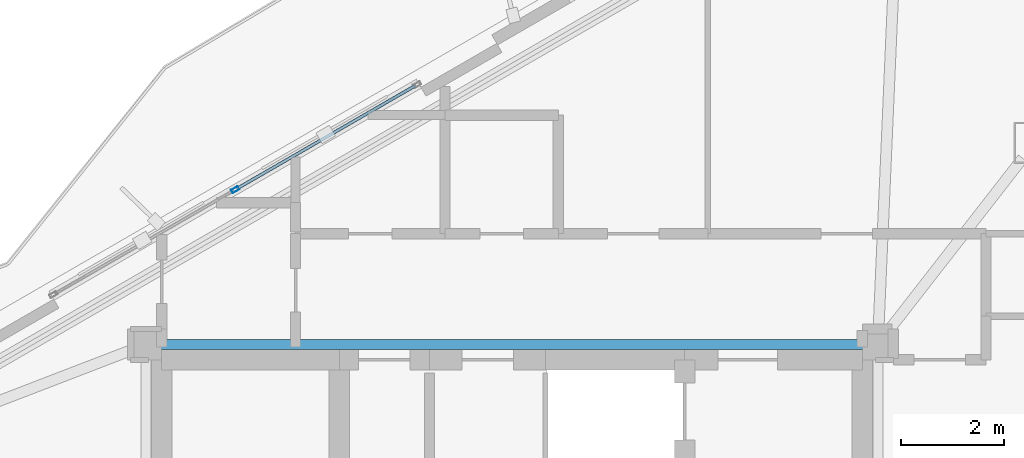
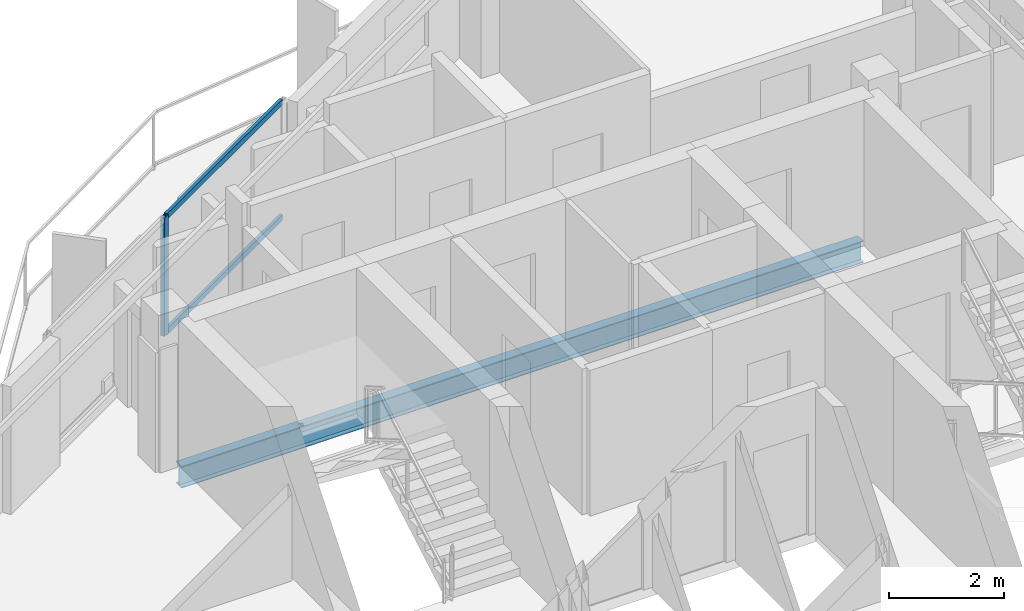
# One storey, part 10 of 18: 3 members, 1 beam, 1 element without a shape of its own.
"""IFC4 building model written with IfcOpenShell, lengths in metres."""

from ifc_helpers import new_model, si_unit, direction, frame, origin, origin_2d, place, context, subcontext, project, spatial, hollow_rectangle, i_section, extrude, material, layer, layer_set, material_profile, profile_set, type_object, element, aggregate, save


model = new_model("IFC4")

# Units and contexts
model_context = context("Model", 3, precision=1e-05, world=origin(), true_north=direction((0.0, 1.0)))
body_context = subcontext(model_context, "Body", "Model", "MODEL_VIEW")
ifc_project = project(units=[si_unit("LENGTHUNIT", "METRE"), si_unit("AREAUNIT", "SQUARE_METRE"), si_unit("VOLUMEUNIT", "CUBIC_METRE"), si_unit("PLANEANGLEUNIT", "RADIAN"), si_unit("MASSUNIT", "GRAM", prefix="KILO")], contexts=[model_context])

# Site, building, storey
site_placement = place(None, origin())
site = spatial("IfcSite", under=ifc_project, at=site_placement, CompositionType="ELEMENT")
building_placement = place(site_placement, origin())
building = spatial("IfcBuilding", under=site, at=building_placement, Name="Mersakhor Tower and Convention Hall", CompositionType="ELEMENT")
storey_placement = place(building_placement, frame((0.0, 0.0, 236.39990234375)))
storey = spatial("IfcBuildingStorey", under=building, at=storey_placement, Name="L66", CompositionType="ELEMENT", Elevation=236.39990234375)

# Beam
ifc_material_1 = material(Name="Steel S355", Category="steel")
ifc_material_profile_1 = material_profile(ifc_material_1, i_section(OverallWidth=0.19140625, OverallDepth=0.4599609375, WebThickness=0.010009765625, FlangeThickness=0.01611328125, at=origin_2d()), Name="UB 457x191x82")
ifc_profile_set_1 = profile_set([ifc_material_profile_1], Name="Steel S355")
beam_type = type_object("IfcBeamType", Name="BM-FB-457", PredefinedType="BEAM", material=ifc_profile_set_1)
beam_placement = place(storey_placement, frame((22.179931640625, 33.050048828125, -0.449951171875), z_axis=(1.0, 0.0, 0.0), x_axis=(0.0, 1.0, 0.0)))
element("IfcBeam", 1, at=beam_placement, inside=storey, type_object=beam_type, Name="L66 Core Ring Tie Beam CRB-2", PredefinedType="BEAM", context=body_context, shape_type="SweptSolid", body=[
    extrude(i_section(OverallWidth=0.19140625, OverallDepth=0.4599609375, WebThickness=0.010009765625, FlangeThickness=0.01611328125, at=origin_2d()), origin(), (0.0, 0.0, 1.0), 13.64013671875),
])

# Curtain wall, members
ifc_material_2 = material(Name="Dark solar low-E aluminium curtain wall", Category="aluminium")
ifc_layer = layer(ifc_material_2, 0.179931640625)
ifc_layer_set = layer_set([ifc_layer], Name="Dark solar low-E aluminium curtain wall")
curtain_wall_type = type_object("IfcCurtainWallType", Name="CW-SYS-03", PredefinedType="USERDEFINED", material=ifc_layer_set)
curtain_wall_placement = place(storey_placement, origin())
curtain_wall = element("IfcCurtainWall", 2, at=curtain_wall_placement, inside=storey, type_object=curtain_wall_type, Name="L66 Dark-Glass Curtain Wall F1-B2", ObjectType="CURTAIN WALL", PredefinedType="USERDEFINED")
ifc_material_3 = material(Name="Anodised aluminium EN AW-6063 T6", Category="aluminium")
ifc_material_profile_2 = material_profile(ifc_material_3, hollow_rectangle(XDim=0.074951171875, YDim=0.14990234375, WallThickness=0.00634765625, at=origin_2d()), Name="RHS 150x75x6.3")
ifc_profile_set_2 = profile_set([ifc_material_profile_2], Name="Anodised aluminium EN AW-6063 T6")
member_type_1 = type_object("IfcMemberType", Name="CWM-150x75", PredefinedType="MULLION", material=ifc_profile_set_2)
member_1_placement = place(storey_placement, frame((23.628662109375, 36.053466796875, 0.2001953125), z_axis=(0.0, 0.0, 1.0), x_axis=(-0.500004411169, 0.86602285698, 0.0)))
member_1 = element("IfcMember", 3, at=member_1_placement, type_object=member_type_1, Name="CW-03 mullion 2", PredefinedType="MULLION", context=body_context, shape_type="SweptSolid", body=[
    extrude(hollow_rectangle(XDim=0.074951171875, YDim=0.14990234375, WallThickness=0.00634765625, at=origin_2d()), origin(), (0.0, 0.0, 1.0), 2.5),
])
ifc_material_4 = material(Name="Anodised aluminium EN AW-6063 T6", Category="aluminium")
ifc_material_profile_3 = material_profile(ifc_material_4, hollow_rectangle(XDim=0.06005859375, YDim=0.1201171875, WallThickness=0.0048828125, at=origin_2d()), Name="RHS 120x60x5")
ifc_profile_set_3 = profile_set([ifc_material_profile_3], Name="Anodised aluminium EN AW-6063 T6")
member_type_2 = type_object("IfcMemberType", Name="CWT-120x60", PredefinedType="USERDEFINED", material=ifc_profile_set_3)
member_2_placement = place(storey_placement, frame((23.6611328125, 36.072265625, 0.22998046875), z_axis=(0.866023018642, 0.500004131166, 0.0), x_axis=(-0.500004131166, 0.866023018642, 0.0)))
member_2 = element("IfcMember", 4, at=member_2_placement, type_object=member_type_2, Name="CW-03 transom 2.1", ObjectType="TRANSOM", PredefinedType="USERDEFINED", context=body_context, shape_type="SweptSolid", body=[
    extrude(hollow_rectangle(XDim=0.06005859375, YDim=0.1201171875, WallThickness=0.0048828125, at=origin_2d()), origin(), (0.0, 0.0, 1.0), 4.00146484375),
])
member_3_placement = place(storey_placement, frame((23.6611328125, 36.072265625, 2.670166015625), z_axis=(0.866023018642, 0.500004131166, 0.0), x_axis=(-0.500004131166, 0.866023018642, 0.0)))
member_3 = element("IfcMember", 5, at=member_3_placement, type_object=member_type_2, Name="CW-03 transom 2.2", ObjectType="TRANSOM", PredefinedType="USERDEFINED", context=body_context, shape_type="SweptSolid", body=[
    extrude(hollow_rectangle(XDim=0.06005859375, YDim=0.1201171875, WallThickness=0.0048828125, at=origin_2d()), origin(), (0.0, 0.0, 1.0), 4.00146484375),
])
aggregate(curtain_wall, [member_1, member_2, member_3])

save(model, "model.ifc")
